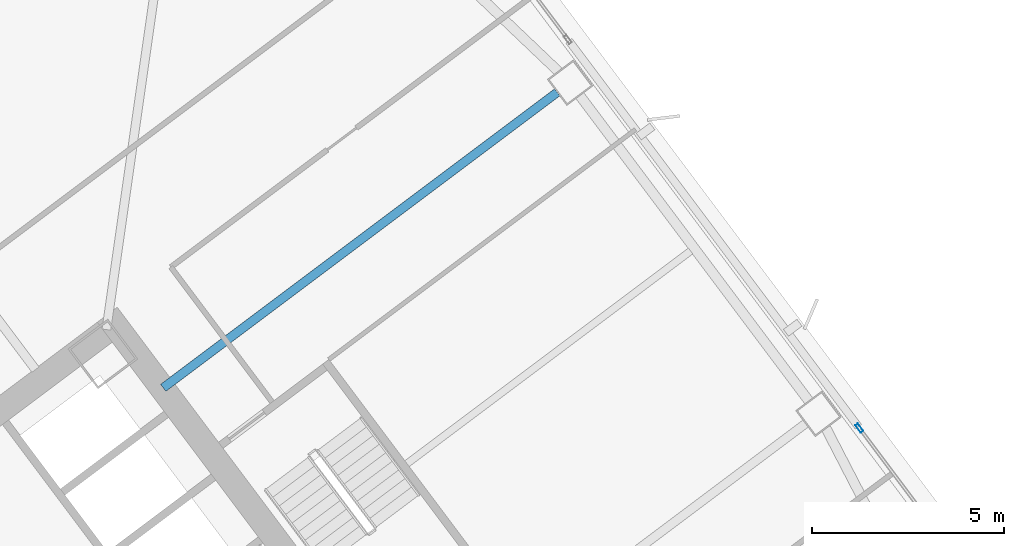
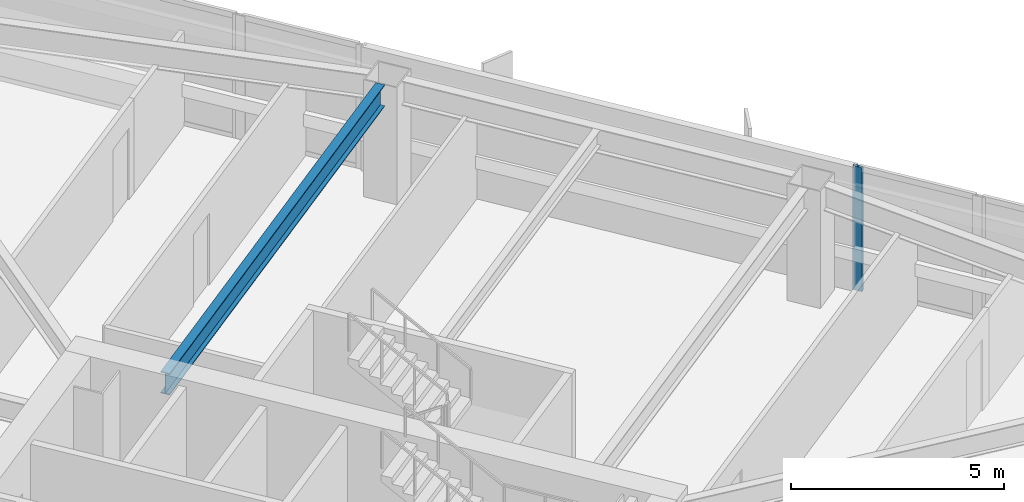
# One storey, part 35 of 62: 1 beam, 1 member, 1 element without a shape of its own.
"""IFC4 building model written with IfcOpenShell, lengths in metres."""

import ifcopenshell
import ifcopenshell.guid

model = None  # the IFC model being written
_history = None  # IfcOwnerHistory: only IFC2X3 demands one
_inside = {}  # id of a spatial element -> (the spatial element, [elements in it])
_under = {}  # id of a project, library or spatial element -> (it, [spatial elements below it])
_declared = {}  # id of a project -> (the project, [libraries it declares])
_typed = {}  # id of a type object -> (the type object, [elements of that type])
_made_of = {}  # id of a material, layer set ... -> (it, [elements and type objects made of it])


def new_model(schema):
    """Start an empty IFC model of exactly this schema.

    Asked for "IFC4X3", IfcOpenShell would pick the latest addendum, in which some entities
    have other attributes; the version numbers below select the first issue.
    IFC2X3 requires an IfcOwnerHistory on every rooted entity: one is made here for all.
    """
    global model, _history
    if schema == "IFC4X3":
        model = ifcopenshell.file(schema_version=(4, 3, 0, 0))
    else:
        model = ifcopenshell.file(schema=schema)
    _inside.clear()
    _under.clear()
    _declared.clear()
    _typed.clear()
    _made_of.clear()
    _history = None
    if model.schema == "IFC2X3":
        org = make("IfcOrganization", Name="unknown")
        user = make(
            "IfcPersonAndOrganization",
            ThePerson=make("IfcPerson", FamilyName="unknown"),
            TheOrganization=org,
        )
        app = make(
            "IfcApplication",
            ApplicationDeveloper=org,
            Version="unknown",
            ApplicationFullName="unknown",
            ApplicationIdentifier="unknown",
        )
        _history = make(
            "IfcOwnerHistory",
            OwningUser=user,
            OwningApplication=app,
            ChangeAction="ADDED",
            CreationDate=0,
        )
    return model


def make(cls, **values):
    """One entity of the class cls with the attributes given. An attribute that is None is left unset."""
    return model.create_entity(
        cls, **{name: value for name, value in values.items() if value is not None}
    )


def rooted(cls, **values):
    """An entity with a GlobalId (a new one), such as an element, a storey or a relation."""
    return make(cls, GlobalId=ifcopenshell.guid.new(), OwnerHistory=_history, **values)


def si_unit(unit_type, name, prefix=None):
    """IfcSIUnit, for example si_unit("LENGTHUNIT", "METRE", prefix="MILLI")."""
    return make("IfcSIUnit", UnitType=unit_type, Prefix=prefix, Name=name)


def assignment(units):
    """IfcUnitAssignment: the units of a project."""
    return None if units is None else make("IfcUnitAssignment", Units=units)


def point(xyz):
    """IfcCartesianPoint."""
    return None if xyz is None else make("IfcCartesianPoint", Coordinates=xyz)


def direction(xyz):
    """IfcDirection."""
    return None if xyz is None else make("IfcDirection", DirectionRatios=xyz)


def frame(location, z_axis=None, x_axis=None):
    """IfcAxis2Placement3D, a coordinate frame: its origin and axes. An axis left out is left unset."""
    return make(
        "IfcAxis2Placement3D",
        Location=point(location),
        Axis=direction(z_axis),
        RefDirection=direction(x_axis),
    )


def frame_2d(location, x_axis=None):
    """IfcAxis2Placement2D, a coordinate frame in the plane: its origin and x axis."""
    return make(
        "IfcAxis2Placement2D", Location=point(location), RefDirection=direction(x_axis)
    )


def origin():
    """The frame at (0, 0, 0) with its axes left unset."""
    return frame((0.0, 0.0, 0.0))


def origin_2d():
    """The frame at (0, 0) in the plane with its x axis left unset."""
    return frame_2d((0.0, 0.0))


def place(relative_to, where):
    """IfcLocalPlacement: puts the frame where relative to a parent placement (None: the world)."""
    return make(
        "IfcLocalPlacement", PlacementRelTo=relative_to, RelativePlacement=where
    )


def context(
    kind, dimensions, precision=None, world=None, true_north=None, identifier=None
):
    """IfcGeometricRepresentationContext, for example the 3D "Model" context."""
    return make(
        "IfcGeometricRepresentationContext",
        ContextIdentifier=identifier,
        ContextType=kind,
        CoordinateSpaceDimension=dimensions,
        Precision=precision,
        WorldCoordinateSystem=world,
        TrueNorth=true_north,
    )


def subcontext(parent, identifier, kind, view, scale=None):
    """IfcGeometricRepresentationSubContext, for example "Body" below "Model"."""
    return make(
        "IfcGeometricRepresentationSubContext",
        ContextIdentifier=identifier,
        ContextType=kind,
        ParentContext=parent,
        TargetScale=scale,
        TargetView=view,
    )


def project(units=None, contexts=None):
    """IfcProject with its units and contexts."""
    return rooted(
        "IfcProject",
        Name="project",
        RepresentationContexts=contexts,
        UnitsInContext=assignment(units),
    )


def spatial(cls, under=None, at=None, **own):
    """A site, building, storey or space (cls), placed at a placement, below another one or the project."""
    s = rooted(cls, ObjectPlacement=at, **own)
    if under is not None:
        _under.setdefault(under.id(), (under, []))[1].append(s)
    return s


def profile(cls, at=None, kind="AREA", **sizes):
    """A parametric profile (cls). Its sizes go by their IFC names, for example OverallWidth=200.0."""
    return make(cls, ProfileType=kind, Position=at, **sizes)


def hollow_rectangle(**sizes):
    """IfcRectangleHollowProfileDef."""
    return profile("IfcRectangleHollowProfileDef", **sizes)


def i_section(**sizes):
    """IfcIShapeProfileDef."""
    return profile("IfcIShapeProfileDef", **sizes)


def extrude(swept, where, along, depth):
    """IfcExtrudedAreaSolid: the profile swept, set in the frame where, extruded along a direction by depth."""
    return make(
        "IfcExtrudedAreaSolid",
        SweptArea=swept,
        Position=where,
        ExtrudedDirection=direction(along),
        Depth=depth,
    )


def shape(context_of_items, identifier, shape_type, items):
    """IfcShapeRepresentation: the items that make up one representation, for example the "Body"."""
    return make(
        "IfcShapeRepresentation",
        ContextOfItems=context_of_items,
        RepresentationIdentifier=identifier,
        RepresentationType=shape_type,
        Items=items,
    )


def material(Name=None, Category=None):
    """IfcMaterial."""
    return make("IfcMaterial", Name=Name, Category=Category)


def material_profile(
    of_material, cross_section, Name=None, Category=None, Priority=None
):
    """IfcMaterialProfile: a cross section and its material."""
    return make(
        "IfcMaterialProfile",
        Name=Name,
        Material=of_material,
        Profile=cross_section,
        Priority=Priority,
        Category=Category,
    )


def profile_set(profiles, Name=None, composite=None):
    """IfcMaterialProfileSet."""
    return make(
        "IfcMaterialProfileSet",
        Name=Name,
        MaterialProfiles=profiles,
        CompositeProfile=composite,
    )


def made_of(thing, what):
    """Note that an element or type object is made of a material, layer set ...; save() writes the relation."""
    if what is not None:
        _made_of.setdefault(what.id(), (what, []))[1].append(thing)
    return thing


def type_object(cls, material=None, **own):
    """A type object (cls), such as IfcWallType, which elements share."""
    return made_of(rooted(cls, **own), material)


def element(
    cls,
    number,
    at=None,
    inside=None,
    cuts=None,
    type_object=None,
    material=None,
    context=None,
    identifier="Body",
    shape_type=None,
    held_by="IfcProductDefinitionShape",
    body=None,
    shapes=None,
    **own,
):
    """One element of the class cls, such as IfcWall. Its Tag is "e" and its number.

    at: its placement. inside: the storey or other place that contains it. cuts: it is an
    opening in that element (IfcRelVoidsElement). A single representation is given by context,
    identifier, shape_type and body (its items); several are given by shapes. held_by: the class
    of the entity that holds the representations. save() writes the other relations.
    """
    e = rooted(cls, Tag="e%d" % number, ObjectPlacement=at, **own)
    if body is not None:
        shapes = [shape(context, identifier, shape_type, body)]
    if shapes is not None:
        e.Representation = make(held_by, Representations=shapes)
    if inside is not None:
        _inside.setdefault(inside.id(), (inside, []))[1].append(e)
    if cuts is not None:
        rooted(
            "IfcRelVoidsElement", RelatingBuildingElement=cuts, RelatedOpeningElement=e
        )
    if type_object is not None:
        _typed.setdefault(type_object.id(), (type_object, []))[1].append(e)
    return made_of(e, material)


def aggregate(whole, parts):
    """IfcRelAggregates: a whole, such as a stair, and the parts it consists of."""
    return rooted("IfcRelAggregates", RelatingObject=whole, RelatedObjects=parts)


def save(model, path):
    """Write the relations noted so far, then the file.

    IfcRelAggregates (storeys below a building ...), IfcRelContainedInSpatialStructure (elements
    in a storey), IfcRelDefinesByType, IfcRelAssociatesMaterial and IfcRelDeclares: one each for
    every whole, place, type object, material and project.
    """
    for whole, parts in _under.values():
        aggregate(whole, parts)
    for where, things in _inside.values():
        rooted(
            "IfcRelContainedInSpatialStructure",
            RelatedElements=things,
            RelatingStructure=where,
        )
    for kind, things in _typed.values():
        rooted("IfcRelDefinesByType", RelatedObjects=things, RelatingType=kind)
    for what, things in _made_of.values():
        rooted("IfcRelAssociatesMaterial", RelatedObjects=things, RelatingMaterial=what)
    for by, libraries in _declared.values():
        rooted("IfcRelDeclares", RelatingContext=by, RelatedDefinitions=libraries)
    model.write(path)


model = new_model("IFC4")

# Units and contexts
model_context = context("Model", 3, precision=1e-05, world=origin(), true_north=direction((0.0, 1.0)))
body_context = subcontext(model_context, "Body", "Model", "MODEL_VIEW")
ifc_project = project(units=[si_unit("LENGTHUNIT", "METRE"), si_unit("AREAUNIT", "SQUARE_METRE"), si_unit("VOLUMEUNIT", "CUBIC_METRE"), si_unit("PLANEANGLEUNIT", "RADIAN"), si_unit("MASSUNIT", "GRAM", prefix="KILO")], contexts=[model_context])

# Site, building, storey
site_placement = place(None, origin())
site = spatial("IfcSite", under=ifc_project, at=site_placement, CompositionType="ELEMENT")
building_placement = place(site_placement, origin())
building = spatial("IfcBuilding", under=site, at=building_placement, Name="Tashvorn Skyway Center", CompositionType="ELEMENT")
storey_placement = place(building_placement, frame((0.0, 0.0, 28.14990234375)))
storey = spatial("IfcBuildingStorey", under=building, at=storey_placement, Name="L06", CompositionType="ELEMENT", Elevation=28.14990234375)

# Beam
ifc_material_1 = material(Name="Steel ASTM A992 Grade 50", Category="steel")
ifc_material_profile_1 = material_profile(ifc_material_1, i_section(OverallWidth=0.22998046875, OverallDepth=0.616943359375, WebThickness=0.01318359375, FlangeThickness=0.022216796875, at=origin_2d()), Name="W24X94")
ifc_profile_set_1 = profile_set([ifc_material_profile_1], Name="Steel ASTM A992 Grade 50")
beam_type = type_object("IfcBeamType", Name="BM-BEAM-W24X94", PredefinedType="BEAM", material=ifc_profile_set_1)
beam_placement = place(storey_placement, frame((127.263916015625, 48.697998046875, 3.04150390625), z_axis=(-0.800002279907, -0.599996960112, 0.0), x_axis=(0.599996960112, -0.800002279907, 0.0)))
element("IfcBeam", 1, at=beam_placement, inside=storey, type_object=beam_type, Name="Tower 2 L06 Primary Floor Girder FC-E2", PredefinedType="BEAM", context=body_context, shape_type="SweptSolid", body=[
    extrude(i_section(OverallWidth=0.22998046875, OverallDepth=0.616943359375, WebThickness=0.01318359375, FlangeThickness=0.022216796875, at=origin_2d()), origin(), (0.0, 0.0, 1.0), 12.85009765625),
])

# Curtain wall, member
ifc_material_2 = material(Name="Thermally broken bronze-anodized aluminium 6063-T6", Category="aluminium")
curtain_wall_type = type_object("IfcCurtainWallType", Name="CW-CW-Z1", PredefinedType="NOTDEFINED", material=ifc_material_2)
curtain_wall_placement = place(storey_placement, origin())
curtain_wall = element("IfcCurtainWall", 2, at=curtain_wall_placement, inside=storey, type_object=curtain_wall_type, Name="Tower 2 L06 East Unitised Curtain Wall Glazing Group 3", PredefinedType="NOTDEFINED")
ifc_material_profile_2 = material_profile(ifc_material_2, hollow_rectangle(XDim=0.0849609375, YDim=0.239990234375, WallThickness=0.0048828125, at=origin_2d()), Name="ALU-MULL-85x240")
ifc_profile_set_2 = profile_set([ifc_material_profile_2], Name="Thermally broken bronze-anodized aluminium 6063-T6")
member_type = type_object("IfcMemberType", Name="CWM-CW-Z1", PredefinedType="MULLION", material=ifc_profile_set_2)
member_placement = place(storey_placement, frame((135.1455078125, 39.939208984375, 0.0), z_axis=(0.0, 0.0, 1.0), x_axis=(0.799996186392, 0.600005084776, 0.0)))
member = element("IfcMember", 3, at=member_placement, type_object=member_type, Name="CW-Z1 mullion 1", PredefinedType="MULLION", context=body_context, shape_type="SweptSolid", body=[
    extrude(hollow_rectangle(XDim=0.0849609375, YDim=0.239990234375, WallThickness=0.0048828125, at=origin_2d()), origin(), (0.0, 0.0, 1.0), 3.550048828125),
])
aggregate(curtain_wall, [member])

save(model, "model.ifc")
